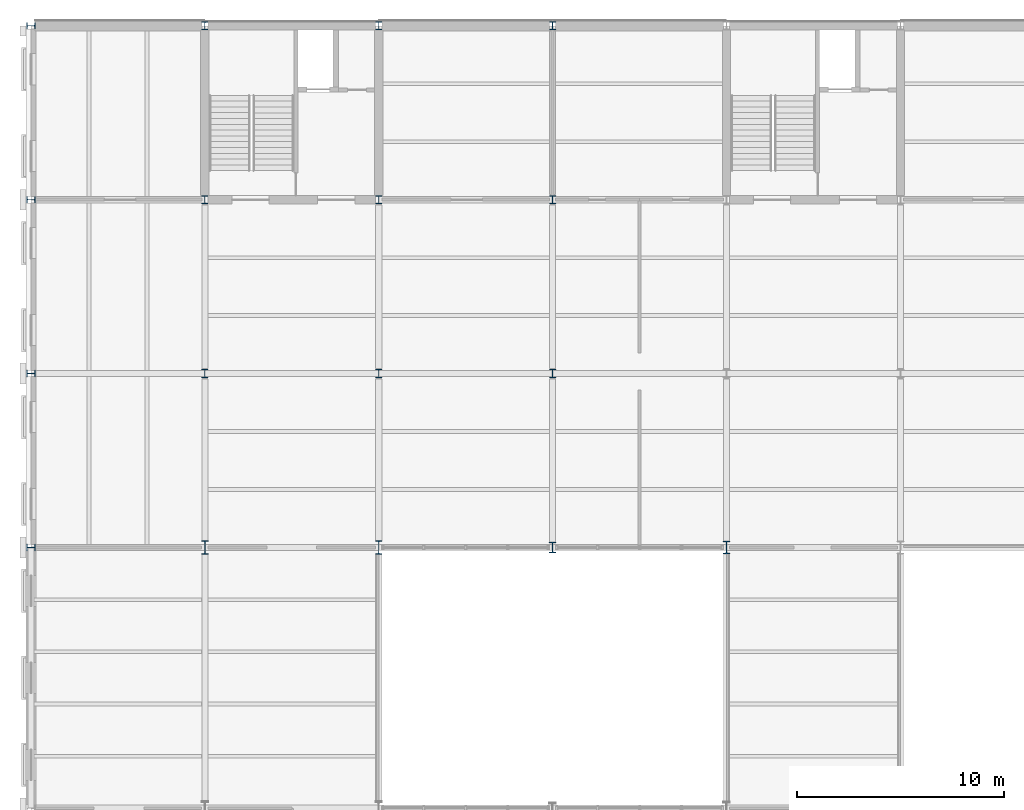
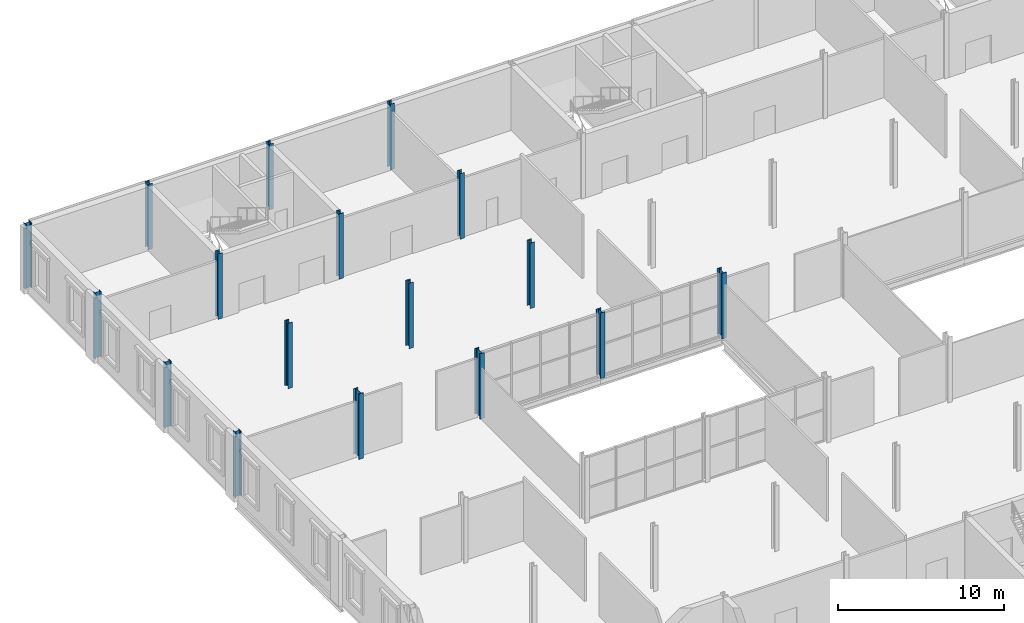
# One storey, part 3 of 52: 17 columns.
"""IFC4 building model written with IfcOpenShell, lengths in metres."""

from ifc_helpers import new_model, si_unit, direction, frame, origin, origin_2d, place, context, subcontext, project, spatial, i_section, extrude, material, material_profile, profile_set, type_object, element, save


model = new_model("IFC4")

# Units and contexts
model_context = context("Model", 3, precision=1e-05, world=origin(), true_north=direction((0.0, 1.0)))
body_context = subcontext(model_context, "Body", "Model", "MODEL_VIEW")
ifc_project = project(units=[si_unit("LENGTHUNIT", "METRE"), si_unit("AREAUNIT", "SQUARE_METRE"), si_unit("VOLUMEUNIT", "CUBIC_METRE"), si_unit("PLANEANGLEUNIT", "RADIAN"), si_unit("MASSUNIT", "GRAM", prefix="KILO")], contexts=[model_context])

# Site, building, storey
site_placement = place(None, origin())
site = spatial("IfcSite", under=ifc_project, at=site_placement, CompositionType="ELEMENT")
building_placement = place(site_placement, origin())
building = spatial("IfcBuilding", under=site, at=building_placement, Name="Galleria Vessillo Department Store", CompositionType="ELEMENT")
storey_placement = place(building_placement, frame((0.0, 0.0, 16.199951171875)))
storey = spatial("IfcBuildingStorey", under=building, at=storey_placement, Name="L03", CompositionType="ELEMENT", Elevation=16.199951171875)

# Columns
ifc_material_1 = material(Name="Steel S355 J2", Category="steel")
ifc_material_profile_1 = material_profile(ifc_material_1, i_section(OverallWidth=0.300048828125, OverallDepth=0.39990234375, WebThickness=0.013427734375, FlangeThickness=0.02392578125, FilletRadius=0.027099609375, at=origin_2d()), Name="HEB 400")
ifc_profile_set_1 = profile_set([ifc_material_profile_1], Name="Steel S355 J2")
column_type_1 = type_object("IfcColumnType", Name="Steel column HEB 400 CP2", PredefinedType="COLUMN", material=ifc_profile_set_1)
for number, where, z_axis, x_axis, name in (
    (1, (0.0, 37.800048828125, 0.0), (0.0, 0.0, 1.0), (0.0, 1.0, 0.0), "S-COL-L03-1-E"),
    (2, (0.0, 46.199951171875, 0.0), (0.0, 0.0, 1.0), (0.0, 1.0, 0.0), "S-COL-L03-1-F"),
    (3, (0.0, 54.60009765625, 0.0), (0.0, 0.0, 1.0), (0.0, 1.0, 0.0), "S-COL-L03-1-G"),
    (4, (0.0, 63.0, 0.0), (0.0, 0.0, 1.0), (0.0, 1.0, 0.0), "S-COL-L03-1-H"),
    (5, (8.39990234375, 46.199951171875, 0.0), (0.0, 0.0, 1.0), (1.0, 0.0, 0.0), "S-COL-L03-2-F"),
    (6, (8.39990234375, 54.60009765625, 0.0), (0.0, 0.0, 1.0), (1.0, 0.0, 0.0), "S-COL-L03-2-G"),
    (7, (8.39990234375, 63.0, 0.0), (0.0, 0.0, 1.0), (1.0, 0.0, 0.0), "S-COL-L03-2-H"),
    (8, (16.800048828125, 46.199951171875, 0.0), (0.0, 0.0, 1.0), (1.0, 0.0, 0.0), "S-COL-L03-3-F"),
    (9, (16.800048828125, 54.60009765625, 0.0), (0.0, 0.0, 1.0), (1.0, 0.0, 0.0), "S-COL-L03-3-G"),
    (10, (16.800048828125, 63.0, 0.0), (0.0, 0.0, 1.0), (1.0, 0.0, 0.0), "S-COL-L03-3-H"),
    (11, (25.199951171875, 46.199951171875, 0.0), (0.0, 0.0, 1.0), (1.0, 0.0, 0.0), "S-COL-L03-4-F"),
    (12, (25.199951171875, 54.60009765625, 0.0), (0.0, 0.0, 1.0), (1.0, 0.0, 0.0), "S-COL-L03-4-G"),
    (13, (25.199951171875, 63.0, 0.0), (0.0, 0.0, 1.0), (1.0, 0.0, 0.0), "S-COL-L03-4-H"),
):
    element("IfcColumn", number, at=place(storey_placement, frame(where, z_axis=z_axis, x_axis=x_axis)), inside=storey, type_object=column_type_1, Name=name, PredefinedType="COLUMN", context=body_context, shape_type="SweptSolid", body=[
        extrude(i_section(OverallWidth=0.300048828125, OverallDepth=0.39990234375, WebThickness=0.013427734375, FlangeThickness=0.02392578125, FilletRadius=0.027099609375, at=origin_2d()), origin(), (0.0, 0.0, 1.0), 4.800048828125),
    ])
ifc_material_2 = material(Name="Steel S355 J2", Category="steel")
ifc_material_profile_2 = material_profile(ifc_material_2, i_section(OverallWidth=0.305908203125, OverallDepth=0.52392578125, WebThickness=0.02099609375, FlangeThickness=0.0400390625, FilletRadius=0.027099609375, at=origin_2d()), Name="HEM 500")
ifc_profile_set_2 = profile_set([ifc_material_profile_2], Name="Steel S355 J2")
column_type_2 = type_object("IfcColumnType", Name="Steel column HEM 500 CV1", PredefinedType="COLUMN", material=ifc_profile_set_2)
column_1_placement = place(storey_placement, frame((25.199951171875, 37.800048828125, 0.0), z_axis=(0.0, 0.0, 1.0), x_axis=(1.0, 0.0, 0.0)))
element("IfcColumn", 14, at=column_1_placement, inside=storey, type_object=column_type_2, Name="S-COL-L03-4-E", PredefinedType="COLUMN", context=body_context, shape_type="SweptSolid", body=[
    extrude(i_section(OverallWidth=0.305908203125, OverallDepth=0.52392578125, WebThickness=0.02099609375, FlangeThickness=0.0400390625, FilletRadius=0.027099609375, at=origin_2d()), origin(), (0.0, 0.0, 1.0), 4.800048828125),
])
ifc_material_3 = material(Name="Steel S355 J2", Category="steel")
ifc_material_profile_3 = material_profile(ifc_material_3, i_section(OverallWidth=0.304931640625, OverallDepth=0.6201171875, WebThickness=0.02099609375, FlangeThickness=0.0400390625, FilletRadius=0.027099609375, at=origin_2d()), Name="HEM 600")
ifc_profile_set_3 = profile_set([ifc_material_profile_3], Name="Steel S355 J2")
column_type_3 = type_object("IfcColumnType", Name="Steel column HEM 600 CV2", PredefinedType="COLUMN", material=ifc_profile_set_3)
column_2_placement = place(storey_placement, frame((33.60009765625, 37.800048828125, 0.0), z_axis=(0.0, 0.0, 1.0), x_axis=(1.0, 0.0, 0.0)))
element("IfcColumn", 15, at=column_2_placement, inside=storey, type_object=column_type_3, Name="S-COL-L03-5-E", PredefinedType="COLUMN", context=body_context, shape_type="SweptSolid", body=[
    extrude(i_section(OverallWidth=0.304931640625, OverallDepth=0.6201171875, WebThickness=0.02099609375, FlangeThickness=0.0400390625, FilletRadius=0.027099609375, at=origin_2d()), origin(), (0.0, 0.0, 1.0), 4.800048828125),
])
ifc_material_4 = material(Name="Steel S355 J2", Category="steel")
ifc_material_profile_4 = material_profile(ifc_material_4, i_section(OverallWidth=0.304931640625, OverallDepth=0.66796875, WebThickness=0.02099609375, FlangeThickness=0.0400390625, FilletRadius=0.027099609375, at=origin_2d()), Name="HEM 650")
ifc_profile_set_4 = profile_set([ifc_material_profile_4], Name="Steel S355 J2")
column_type_4 = type_object("IfcColumnType", Name="Steel column HEM 650 CV3", PredefinedType="COLUMN", material=ifc_profile_set_4)
for number, where, z_axis, x_axis, name in (
    (16, (8.39990234375, 37.800048828125, 0.0), (0.0, 0.0, 1.0), (1.0, 0.0, 0.0), "S-COL-L03-2-E"),
    (17, (16.800048828125, 37.800048828125, 0.0), (0.0, 0.0, 1.0), (1.0, 0.0, 0.0), "S-COL-L03-3-E"),
):
    element("IfcColumn", number, at=place(storey_placement, frame(where, z_axis=z_axis, x_axis=x_axis)), inside=storey, type_object=column_type_4, Name=name, PredefinedType="COLUMN", context=body_context, shape_type="SweptSolid", body=[
        extrude(i_section(OverallWidth=0.304931640625, OverallDepth=0.66796875, WebThickness=0.02099609375, FlangeThickness=0.0400390625, FilletRadius=0.027099609375, at=origin_2d()), origin(), (0.0, 0.0, 1.0), 4.800048828125),
    ])

save(model, "model.ifc")
